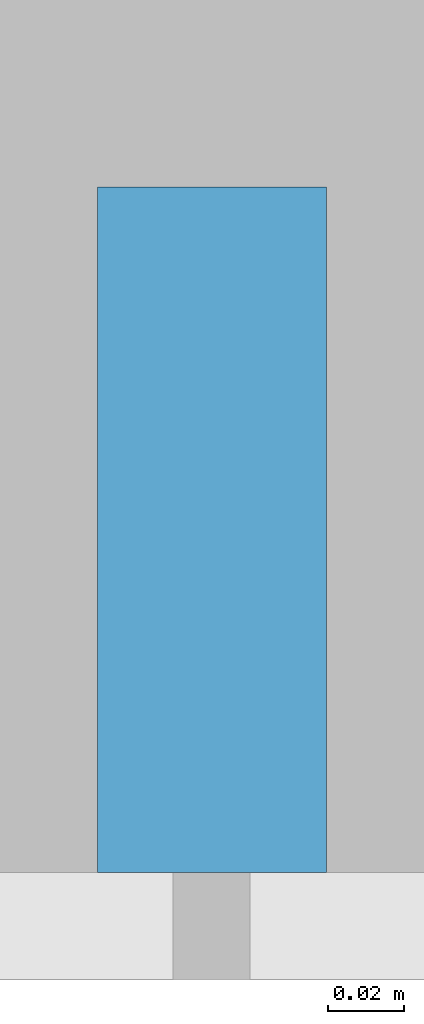
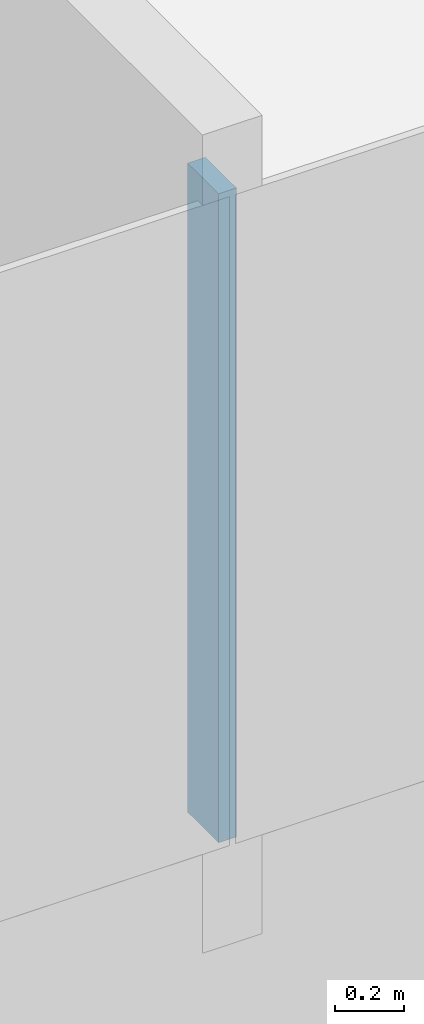
# One storey, part 3 of 26: 1 member, 1 element without a shape of its own.
"""IFC4 building model written with IfcOpenShell, lengths in metres."""

from ifc_helpers import new_model, si_unit, direction, frame, origin, origin_2d, place, context, subcontext, project, spatial, rectangle, extrude, material, layer, layer_set, material_profile, profile_set, type_object, element, aggregate, save


model = new_model("IFC4")

# Units and contexts
model_context = context("Model", 3, precision=1e-05, world=origin(), true_north=direction((0.0, 1.0)))
body_context = subcontext(model_context, "Body", "Model", "MODEL_VIEW")
ifc_project = project(units=[si_unit("LENGTHUNIT", "METRE"), si_unit("AREAUNIT", "SQUARE_METRE"), si_unit("VOLUMEUNIT", "CUBIC_METRE"), si_unit("PLANEANGLEUNIT", "RADIAN"), si_unit("MASSUNIT", "GRAM", prefix="KILO")], contexts=[model_context])

# Site, building, storey
site_placement = place(None, origin())
site = spatial("IfcSite", under=ifc_project, at=site_placement, CompositionType="ELEMENT")
building_placement = place(site_placement, origin())
building = spatial("IfcBuilding", under=site, at=building_placement, Name="Hakoniwa Tower and Hamabe Station Hall", CompositionType="ELEMENT")
storey_placement = place(building_placement, frame((0.0, 0.0, 172.60009765625)))
storey = spatial("IfcBuildingStorey", under=building, at=storey_placement, Name="L49", CompositionType="ELEMENT", Elevation=172.60009765625)

# Curtain wall, member
ifc_material_1 = material(Name="Dark low-e laminated glass", Category="glass")
ifc_layer = layer(ifc_material_1, 0.199951171875)
ifc_layer_set = layer_set([ifc_layer], Name="CW-1 UNITISED GUEST")
curtain_wall_type = type_object("IfcCurtainWallType", Name="CW-1 UNITISED GUEST", PredefinedType="NOTDEFINED", material=ifc_layer_set)
curtain_wall_placement = place(storey_placement, origin())
curtain_wall = element("IfcCurtainWall", 1, at=curtain_wall_placement, inside=storey, type_object=curtain_wall_type, Name="CW-1 curtain wall", PredefinedType="NOTDEFINED")
ifc_material_2 = material(Name="Aluminium 6063-T5 black anodised", Category="aluminium")
ifc_material_profile = material_profile(ifc_material_2, rectangle(XDim=0.06005859375, YDim=0.179931640625, at=origin_2d()), Name="CW-1 MULLION 60X180")
ifc_profile_set = profile_set([ifc_material_profile], Name="Aluminium 6063-T5 black anodised")
member_type = type_object("IfcMemberType", Name="CW-1 MULLION 60X180", PredefinedType="MULLION", material=ifc_profile_set)
member_placement = place(storey_placement, frame((-8.39990234375, -19.181884765625, 0.349853515625), z_axis=(0.0, 0.0, 1.0), x_axis=(1.0, 0.0, 0.0)))
member = element("IfcMember", 2, at=member_placement, type_object=member_type, Name="CW-1 mullion", PredefinedType="MULLION", context=body_context, shape_type="SweptSolid", body=[
    extrude(rectangle(XDim=0.06005859375, YDim=0.179931640625, at=origin_2d()), origin(), (0.0, 0.0, 1.0), 2.300048828125),
])
aggregate(curtain_wall, [member])

save(model, "model.ifc")
